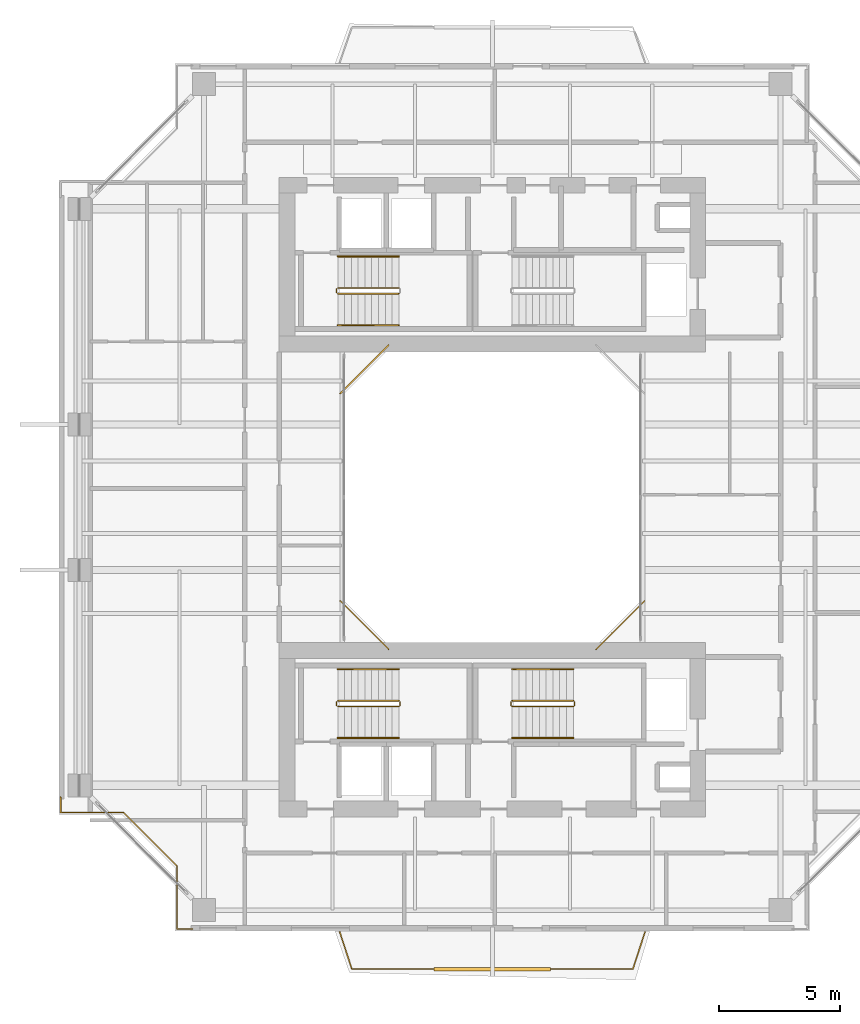
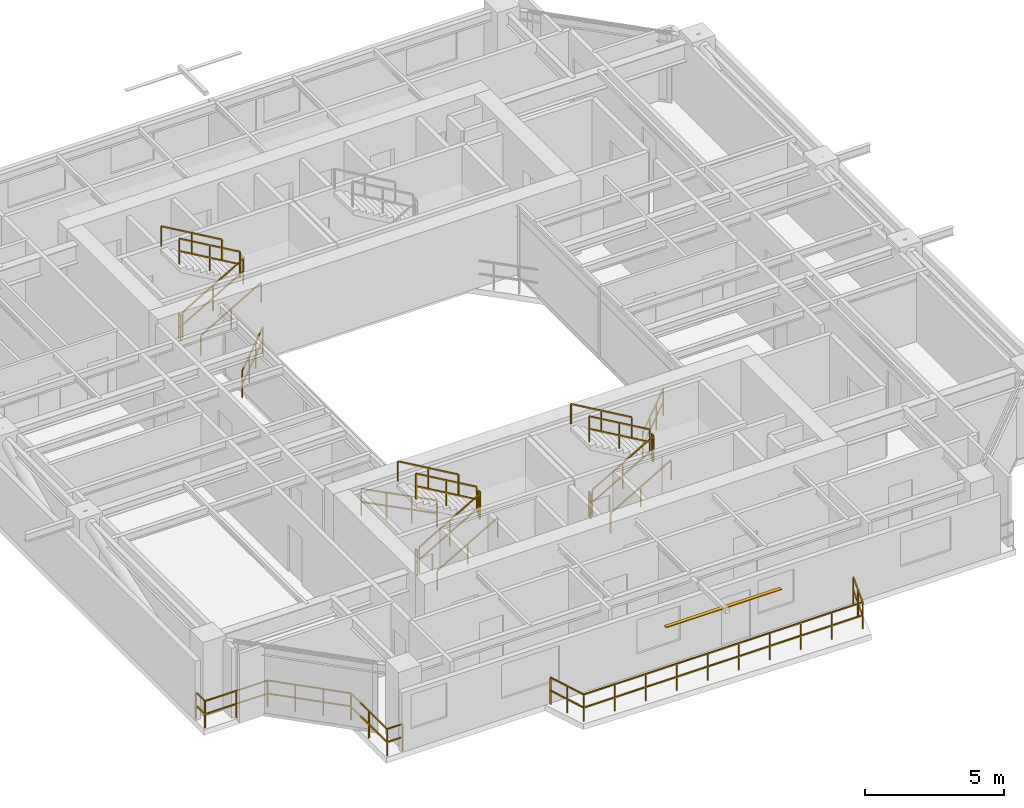
# One storey, part 12 of 14: 22 railings, 1 shading device.
"""IFC4 building model written with IfcOpenShell, lengths in metres."""

from ifc_helpers import new_model, si_unit, direction, frame, origin, origin_2d, place, context, subcontext, project, spatial, rectangle, extrude, source, transform, mapped, material, material_profile, profile_set, type_object, element, save


model = new_model("IFC4")

# Units and contexts
model_context = context("Model", 3, precision=1e-05, world=origin(), true_north=direction((0.0, 1.0)))
body_context = subcontext(model_context, "Body", "Model", "MODEL_VIEW")
ifc_project = project(units=[si_unit("LENGTHUNIT", "METRE"), si_unit("AREAUNIT", "SQUARE_METRE"), si_unit("VOLUMEUNIT", "CUBIC_METRE"), si_unit("PLANEANGLEUNIT", "RADIAN"), si_unit("MASSUNIT", "GRAM", prefix="KILO"), si_unit("THERMODYNAMICTEMPERATUREUNIT", "KELVIN"), si_unit("POWERUNIT", "WATT")], contexts=[model_context])

# Site, building, storey
site_placement = place(None, origin())
site = spatial("IfcSite", under=ifc_project, at=site_placement, CompositionType="ELEMENT")
building_placement = place(site_placement, origin())
building = spatial("IfcBuilding", under=site, at=building_placement, Name="Qiaomeng Ring Towers", CompositionType="ELEMENT")
storey_placement = place(building_placement, frame((0.0, 0.0, 176.25)))
storey = spatial("IfcBuildingStorey", under=building, at=storey_placement, Name="L51", CompositionType="ELEMENT", Elevation=176.25)

# Railings
ifc_material_1 = material(Name="Low-E pale-green laminated safety glass", Category="glass")
railing_type_1 = type_object("IfcRailingType", Name="ARC-RL-BAL1", PredefinedType="BALUSTRADE", material=ifc_material_1)
railing_1_placement = place(storey_placement, frame((23.280029296875, 16.719970703125, 0.0)))
element("IfcRailing", 1, at=railing_1_placement, inside=storey, type_object=railing_type_1, Name="L51 Balustrade ARC-BAL-WELL1-L51-1", PredefinedType="BALUSTRADE", context=body_context, shape_type="SweptSolid", body=[
    extrude(rectangle(XDim=0.048095703125, YDim=0.048095703125, at=origin_2d()), frame((0.0, 0.0, 1.17578125), z_axis=(0.707106781187, 0.707106781187, 0.0), x_axis=(-0.707106781187, 0.707106781187, 0.0)), (0.0, 0.0, 1.0), 2.828369140625),
    extrude(rectangle(XDim=0.048095703125, YDim=0.048095703125, at=origin_2d()), frame((0.0, 0.0, 0.60009765625), z_axis=(0.707106781187, 0.707106781187, 0.0), x_axis=(-0.707106781187, 0.707106781187, 0.0)), (0.0, 0.0, 1.0), 2.828369140625),
    extrude(rectangle(XDim=0.0419921875, YDim=0.0419921875, at=origin_2d()), origin(), (0.0, 0.0, 1.0), 1.15185546875),
    extrude(rectangle(XDim=0.0419921875, YDim=0.0419921875, at=origin_2d()), frame((0.666748046875, 0.666748046875, 0.0)), (0.0, 0.0, 1.0), 1.15185546875),
    extrude(rectangle(XDim=0.0419921875, YDim=0.0419921875, at=origin_2d()), frame((1.333251953125, 1.333251953125, 0.0)), (0.0, 0.0, 1.0), 1.15185546875),
    extrude(rectangle(XDim=0.0419921875, YDim=0.0419921875, at=origin_2d()), frame((2.0, 2.0, 0.0)), (0.0, 0.0, 1.0), 1.15185546875),
])
railing_2_placement = place(storey_placement, frame((14.719970703125, 29.280029296875, 0.0)))
element("IfcRailing", 2, at=railing_2_placement, inside=storey, type_object=railing_type_1, Name="L51 Balustrade ARC-BAL-WELL1-L51-3", PredefinedType="BALUSTRADE", context=body_context, shape_type="SweptSolid", body=[
    extrude(rectangle(XDim=0.048095703125, YDim=0.048095703125, at=origin_2d()), frame((0.0, 0.0, 1.17578125), z_axis=(-0.707106781187, -0.707106781187, 0.0), x_axis=(0.707106781187, -0.707106781187, 0.0)), (0.0, 0.0, 1.0), 2.828369140625),
    extrude(rectangle(XDim=0.048095703125, YDim=0.048095703125, at=origin_2d()), frame((0.0, 0.0, 0.60009765625), z_axis=(-0.707106781187, -0.707106781187, 0.0), x_axis=(0.707106781187, -0.707106781187, 0.0)), (0.0, 0.0, 1.0), 2.828369140625),
    extrude(rectangle(XDim=0.0419921875, YDim=0.0419921875, at=origin_2d()), origin(), (0.0, 0.0, 1.0), 1.15185546875),
    extrude(rectangle(XDim=0.0419921875, YDim=0.0419921875, at=origin_2d()), frame((-0.666748046875, -0.666748046875, 0.0)), (0.0, 0.0, 1.0), 1.15185546875),
    extrude(rectangle(XDim=0.0419921875, YDim=0.0419921875, at=origin_2d()), frame((-1.333251953125, -1.333251953125, 0.0)), (0.0, 0.0, 1.0), 1.15185546875),
    extrude(rectangle(XDim=0.0419921875, YDim=0.0419921875, at=origin_2d()), frame((-2.0, -2.0, 0.0)), (0.0, 0.0, 1.0), 1.15185546875),
])
railing_3_placement = place(storey_placement, frame((12.719970703125, 18.719970703125, 0.0)))
element("IfcRailing", 3, at=railing_3_placement, inside=storey, type_object=railing_type_1, Name="L51 Balustrade ARC-BAL-WELL1-L51-4", PredefinedType="BALUSTRADE", context=body_context, shape_type="SweptSolid", body=[
    extrude(rectangle(XDim=0.048095703125, YDim=0.048095703125, at=origin_2d()), frame((0.0, 0.0, 1.17578125), z_axis=(0.707106781187, -0.707106781187, 0.0), x_axis=(0.707106781187, 0.707106781187, 0.0)), (0.0, 0.0, 1.0), 2.828369140625),
    extrude(rectangle(XDim=0.048095703125, YDim=0.048095703125, at=origin_2d()), frame((0.0, 0.0, 0.60009765625), z_axis=(0.707106781187, -0.707106781187, 0.0), x_axis=(0.707106781187, 0.707106781187, 0.0)), (0.0, 0.0, 1.0), 2.828369140625),
    extrude(rectangle(XDim=0.0419921875, YDim=0.0419921875, at=origin_2d()), origin(), (0.0, 0.0, 1.0), 1.15185546875),
    extrude(rectangle(XDim=0.0419921875, YDim=0.0419921875, at=origin_2d()), frame((0.666748046875, -0.666748046875, 0.0)), (0.0, 0.0, 1.0), 1.15185546875),
    extrude(rectangle(XDim=0.0419921875, YDim=0.0419921875, at=origin_2d()), frame((1.333251953125, -1.333251953125, 0.0)), (0.0, 0.0, 1.0), 1.15185546875),
    extrude(rectangle(XDim=0.0419921875, YDim=0.0419921875, at=origin_2d()), frame((2.0, -2.0, 0.0)), (0.0, 0.0, 1.0), 1.15185546875),
])
railing_4_placement = place(storey_placement, frame((1.179931640625, 10.6298828125, 0.0)))
element("IfcRailing", 4, at=railing_4_placement, inside=storey, type_object=railing_type_1, Name="L51 Balustrade ARC-BAL-NOTCH1-L51-SW", PredefinedType="BALUSTRADE", context=body_context, shape_type="SweptSolid", body=[
    extrude(rectangle(XDim=0.048095703125, YDim=0.048095703125, at=origin_2d()), frame((0.0, 0.0, 1.17578125), z_axis=(0.0, -1.0, 0.0), x_axis=(1.0, 0.0, 0.0)), (0.0, 0.0, 1.0), 0.64990234375),
    extrude(rectangle(XDim=0.048095703125, YDim=0.048095703125, at=origin_2d()), frame((0.0, 0.0, 0.60009765625), z_axis=(0.0, -1.0, 0.0), x_axis=(1.0, 0.0, 0.0)), (0.0, 0.0, 1.0), 0.64990234375),
    extrude(rectangle(XDim=0.048095703125, YDim=0.048095703125, at=origin_2d()), frame((0.0, -0.64990234375, 1.17578125), z_axis=(1.0, 0.0, 0.0), x_axis=(0.0, 1.0, 0.0)), (0.0, 0.0, 1.0), 2.60009765625),
    extrude(rectangle(XDim=0.048095703125, YDim=0.048095703125, at=origin_2d()), frame((0.0, -0.64990234375, 0.60009765625), z_axis=(1.0, 0.0, 0.0), x_axis=(0.0, 1.0, 0.0)), (0.0, 0.0, 1.0), 2.60009765625),
    extrude(rectangle(XDim=0.048095703125, YDim=0.048095703125, at=origin_2d()), frame((2.60009765625, -0.64990234375, 1.17578125), z_axis=(0.707106781187, -0.707106781187, 0.0), x_axis=(0.707106781187, 0.707106781187, 0.0)), (0.0, 0.0, 1.0), 3.111083984375),
    extrude(rectangle(XDim=0.048095703125, YDim=0.048095703125, at=origin_2d()), frame((2.60009765625, -0.64990234375, 0.60009765625), z_axis=(0.707106781187, -0.707106781187, 0.0), x_axis=(0.707106781187, 0.707106781187, 0.0)), (0.0, 0.0, 1.0), 3.111083984375),
    extrude(rectangle(XDim=0.048095703125, YDim=0.048095703125, at=origin_2d()), frame((4.800048828125, -2.849853515625, 1.17578125), z_axis=(0.0, -1.0, 0.0), x_axis=(1.0, 0.0, 0.0)), (0.0, 0.0, 1.0), 2.60009765625),
    extrude(rectangle(XDim=0.048095703125, YDim=0.048095703125, at=origin_2d()), frame((4.800048828125, -2.849853515625, 0.60009765625), z_axis=(0.0, -1.0, 0.0), x_axis=(1.0, 0.0, 0.0)), (0.0, 0.0, 1.0), 2.60009765625),
    extrude(rectangle(XDim=0.048095703125, YDim=0.048095703125, at=origin_2d()), frame((4.800048828125, -5.449951171875, 1.17578125), z_axis=(1.0, 0.0, 0.0), x_axis=(0.0, 1.0, 0.0)), (0.0, 0.0, 1.0), 0.64990234375),
    extrude(rectangle(XDim=0.048095703125, YDim=0.048095703125, at=origin_2d()), frame((4.800048828125, -5.449951171875, 0.60009765625), z_axis=(1.0, 0.0, 0.0), x_axis=(0.0, 1.0, 0.0)), (0.0, 0.0, 1.0), 0.64990234375),
    extrude(rectangle(XDim=0.0419921875, YDim=0.0419921875, at=origin_2d()), origin(), (0.0, 0.0, 1.0), 1.15185546875),
    extrude(rectangle(XDim=0.0419921875, YDim=0.0419921875, at=origin_2d()), frame((0.0, -0.64990234375, 0.0)), (0.0, 0.0, 1.0), 1.15185546875),
    extrude(rectangle(XDim=0.0419921875, YDim=0.0419921875, at=origin_2d()), frame((1.300048828125, -0.64990234375, 0.0)), (0.0, 0.0, 1.0), 1.15185546875),
    extrude(rectangle(XDim=0.0419921875, YDim=0.0419921875, at=origin_2d()), frame((2.60009765625, -0.64990234375, 0.0)), (0.0, 0.0, 1.0), 1.15185546875),
    extrude(rectangle(XDim=0.0419921875, YDim=0.0419921875, at=origin_2d()), frame((3.33349609375, -1.38330078125, 0.0)), (0.0, 0.0, 1.0), 1.15185546875),
    extrude(rectangle(XDim=0.0419921875, YDim=0.0419921875, at=origin_2d()), frame((4.066650390625, -2.116455078125, 0.0)), (0.0, 0.0, 1.0), 1.15185546875),
    extrude(rectangle(XDim=0.0419921875, YDim=0.0419921875, at=origin_2d()), frame((4.800048828125, -2.849853515625, 0.0)), (0.0, 0.0, 1.0), 1.15185546875),
    extrude(rectangle(XDim=0.0419921875, YDim=0.0419921875, at=origin_2d()), frame((4.800048828125, -4.14990234375, 0.0)), (0.0, 0.0, 1.0), 1.15185546875),
    extrude(rectangle(XDim=0.0419921875, YDim=0.0419921875, at=origin_2d()), frame((4.800048828125, -5.449951171875, 0.0)), (0.0, 0.0, 1.0), 1.15185546875),
    extrude(rectangle(XDim=0.0419921875, YDim=0.0419921875, at=origin_2d()), frame((5.449951171875, -5.449951171875, 0.0)), (0.0, 0.0, 1.0), 1.15185546875),
])
railing_5_placement = place(storey_placement, frame((12.699951171875, 5.050048828125, 0.0)))
element("IfcRailing", 5, at=railing_5_placement, inside=storey, type_object=railing_type_1, Name="L51 Balustrade ARC-BAL-L51-T1-S", PredefinedType="BALUSTRADE", context=body_context, shape_type="SweptSolid", body=[
    extrude(rectangle(XDim=0.048095703125, YDim=0.048095703125, at=origin_2d()), frame((0.0, 0.0, 1.17578125), z_axis=(0.310625543041, -0.950532362421, 0.0), x_axis=(0.950532362421, 0.310625543041, 0.0)), (0.0, 0.0, 1.0), 1.609619140625),
    extrude(rectangle(XDim=0.048095703125, YDim=0.048095703125, at=origin_2d()), frame((0.0, 0.0, 0.60009765625), z_axis=(0.310625543041, -0.950532362421, 0.0), x_axis=(0.950532362421, 0.310625543041, 0.0)), (0.0, 0.0, 1.0), 1.609619140625),
    extrude(rectangle(XDim=0.048095703125, YDim=0.048095703125, at=origin_2d()), frame((0.5, -1.530029296875, 1.17578125), z_axis=(1.0, 0.0, 0.0), x_axis=(0.0, 1.0, 0.0)), (0.0, 0.0, 1.0), 11.60009765625),
    extrude(rectangle(XDim=0.048095703125, YDim=0.048095703125, at=origin_2d()), frame((0.5, -1.530029296875, 0.60009765625), z_axis=(1.0, 0.0, 0.0), x_axis=(0.0, 1.0, 0.0)), (0.0, 0.0, 1.0), 11.60009765625),
    extrude(rectangle(XDim=0.048095703125, YDim=0.048095703125, at=origin_2d()), frame((12.10009765625, -1.530029296875, 1.17578125), z_axis=(0.310625543041, 0.950532362421, 0.0), x_axis=(-0.950532362421, 0.310625543041, 0.0)), (0.0, 0.0, 1.0), 1.609619140625),
    extrude(rectangle(XDim=0.048095703125, YDim=0.048095703125, at=origin_2d()), frame((12.10009765625, -1.530029296875, 0.60009765625), z_axis=(0.310625543041, 0.950532362421, 0.0), x_axis=(-0.950532362421, 0.310625543041, 0.0)), (0.0, 0.0, 1.0), 1.609619140625),
    extrude(rectangle(XDim=0.0419921875, YDim=0.0419921875, at=origin_2d()), origin(), (0.0, 0.0, 1.0), 1.15185546875),
    extrude(rectangle(XDim=0.0419921875, YDim=0.0419921875, at=origin_2d()), frame((0.25, -0.76513671875, 0.0)), (0.0, 0.0, 1.0), 1.15185546875),
    extrude(rectangle(XDim=0.0419921875, YDim=0.0419921875, at=origin_2d()), frame((0.5, -1.530029296875, 0.0)), (0.0, 0.0, 1.0), 1.15185546875),
    extrude(rectangle(XDim=0.0419921875, YDim=0.0419921875, at=origin_2d()), frame((1.788818359375, -1.530029296875, 0.0)), (0.0, 0.0, 1.0), 1.15185546875),
    extrude(rectangle(XDim=0.0419921875, YDim=0.0419921875, at=origin_2d()), frame((3.077880859375, -1.530029296875, 0.0)), (0.0, 0.0, 1.0), 1.15185546875),
    extrude(rectangle(XDim=0.0419921875, YDim=0.0419921875, at=origin_2d()), frame((4.36669921875, -1.530029296875, 0.0)), (0.0, 0.0, 1.0), 1.15185546875),
    extrude(rectangle(XDim=0.0419921875, YDim=0.0419921875, at=origin_2d()), frame((5.655517578125, -1.530029296875, 0.0)), (0.0, 0.0, 1.0), 1.15185546875),
    extrude(rectangle(XDim=0.0419921875, YDim=0.0419921875, at=origin_2d()), frame((6.944580078125, -1.530029296875, 0.0)), (0.0, 0.0, 1.0), 1.15185546875),
    extrude(rectangle(XDim=0.0419921875, YDim=0.0419921875, at=origin_2d()), frame((8.2333984375, -1.530029296875, 0.0)), (0.0, 0.0, 1.0), 1.15185546875),
    extrude(rectangle(XDim=0.0419921875, YDim=0.0419921875, at=origin_2d()), frame((9.522216796875, -1.530029296875, 0.0)), (0.0, 0.0, 1.0), 1.15185546875),
    extrude(rectangle(XDim=0.0419921875, YDim=0.0419921875, at=origin_2d()), frame((10.811279296875, -1.530029296875, 0.0)), (0.0, 0.0, 1.0), 1.15185546875),
    extrude(rectangle(XDim=0.0419921875, YDim=0.0419921875, at=origin_2d()), frame((12.10009765625, -1.530029296875, 0.0)), (0.0, 0.0, 1.0), 1.15185546875),
    extrude(rectangle(XDim=0.0419921875, YDim=0.0419921875, at=origin_2d()), frame((12.35009765625, -0.76513671875, 0.0)), (0.0, 0.0, 1.0), 1.15185546875),
    extrude(rectangle(XDim=0.0419921875, YDim=0.0419921875, at=origin_2d()), frame((12.60009765625, 0.0, 0.0)), (0.0, 0.0, 1.0), 1.15185546875),
])
ifc_material_2 = material(Name="Galvanised steel", Category="steel")
railing_type_2 = type_object("IfcRailingType", Name="ARC-RL-GUARD", PredefinedType="GUARDRAIL", material=ifc_material_2)
railing_6_placement = place(storey_placement, frame((12.6201171875, 31.39990234375, 0.16259765625)))
element("IfcRailing", 6, at=railing_6_placement, inside=storey, type_object=railing_type_2, Name="L51 ST1 stair guard 1", PredefinedType="GUARDRAIL", context=body_context, shape_type="SweptSolid", body=[
    extrude(rectangle(XDim=0.048095703125, YDim=0.048095703125, at=origin_2d()), frame((0.0, 0.0, 1.1259765625), z_axis=(0.864892226395, 0.0, 0.501957604506), x_axis=(0.0, 1.0, 0.0)), (0.0, 0.0, 1.0), 2.913330078125),
    extrude(rectangle(XDim=0.048095703125, YDim=0.048095703125, at=origin_2d()), frame((0.0, 0.0, 0.574951171875), z_axis=(0.864892226395, 0.0, 0.501957604506), x_axis=(0.0, 1.0, 0.0)), (0.0, 0.0, 1.0), 2.913330078125),
    extrude(rectangle(XDim=0.0419921875, YDim=0.0419921875, at=origin_2d()), origin(), (0.0, 0.0, 1.0), 1.101806640625),
    extrude(rectangle(XDim=0.0419921875, YDim=0.0419921875, at=origin_2d()), frame((1.259765625, 0.0, 0.731201171875)), (0.0, 0.0, 1.0), 1.101806640625),
    extrude(rectangle(XDim=0.0419921875, YDim=0.0419921875, at=origin_2d()), frame((2.519775390625, 0.0, 1.46240234375)), (0.0, 0.0, 1.0), 1.101806640625),
])
railing_7_placement = place(storey_placement, frame((15.139892578125, 31.639892578125, 1.78759765625)))
element("IfcRailing", 7, at=railing_7_placement, inside=storey, type_object=railing_type_2, Name="L51 ST1 stair guard 3", PredefinedType="GUARDRAIL", context=body_context, shape_type="SweptSolid", body=[
    extrude(rectangle(XDim=0.048095703125, YDim=0.048095703125, at=origin_2d()), frame((0.0, 0.0, 1.1259765625), z_axis=(-0.864892226395, 0.0, 0.501957604506), x_axis=(0.0, -1.0, 0.0)), (0.0, 0.0, 1.0), 2.913330078125),
    extrude(rectangle(XDim=0.048095703125, YDim=0.048095703125, at=origin_2d()), frame((0.0, 0.0, 0.574951171875), z_axis=(-0.864892226395, 0.0, 0.501957604506), x_axis=(0.0, -1.0, 0.0)), (0.0, 0.0, 1.0), 2.913330078125),
    extrude(rectangle(XDim=0.0419921875, YDim=0.0419921875, at=origin_2d()), origin(), (0.0, 0.0, 1.0), 1.101806640625),
    extrude(rectangle(XDim=0.0419921875, YDim=0.0419921875, at=origin_2d()), frame((-1.259765625, 0.0, 0.731201171875)), (0.0, 0.0, 1.0), 1.101806640625),
    extrude(rectangle(XDim=0.0419921875, YDim=0.0419921875, at=origin_2d()), frame((-2.519775390625, 0.0, 1.46240234375)), (0.0, 0.0, 1.0), 1.101806640625),
])
railing_8_placement = place(storey_placement, frame((12.570068359375, 31.449951171875, 0.0)))
element("IfcRailing", 8, at=railing_8_placement, inside=storey, type_object=railing_type_2, Name="L51 ST1 stair guard 4", PredefinedType="GUARDRAIL", context=body_context, shape_type="SweptSolid", body=[
    extrude(rectangle(XDim=0.048095703125, YDim=0.048095703125, at=origin_2d()), frame((0.0, 0.0, 1.1259765625), z_axis=(0.0, 1.0, 0.0), x_axis=(-1.0, 0.0, 0.0)), (0.0, 0.0, 1.0), 0.14013671875),
    extrude(rectangle(XDim=0.048095703125, YDim=0.048095703125, at=origin_2d()), frame((0.0, 0.0, 0.574951171875), z_axis=(0.0, 1.0, 0.0), x_axis=(-1.0, 0.0, 0.0)), (0.0, 0.0, 1.0), 0.14013671875),
    extrude(rectangle(XDim=0.0419921875, YDim=0.0419921875, at=origin_2d()), origin(), (0.0, 0.0, 1.0), 1.101806640625),
    extrude(rectangle(XDim=0.0419921875, YDim=0.0419921875, at=origin_2d()), frame((0.0, 0.14013671875, 0.0)), (0.0, 0.0, 1.0), 1.101806640625),
])
railing_9_placement = place(storey_placement, frame((12.6201171875, 14.360107421875, 0.16259765625)))
element("IfcRailing", 9, at=railing_9_placement, inside=storey, type_object=railing_type_2, Name="L51 ST3 stair guard 1", PredefinedType="GUARDRAIL", context=body_context, shape_type="SweptSolid", body=[
    extrude(rectangle(XDim=0.048095703125, YDim=0.048095703125, at=origin_2d()), frame((0.0, 0.0, 1.1259765625), z_axis=(0.864892226395, 0.0, 0.501957604506), x_axis=(0.0, 1.0, 0.0)), (0.0, 0.0, 1.0), 2.913330078125),
    extrude(rectangle(XDim=0.048095703125, YDim=0.048095703125, at=origin_2d()), frame((0.0, 0.0, 0.574951171875), z_axis=(0.864892226395, 0.0, 0.501957604506), x_axis=(0.0, 1.0, 0.0)), (0.0, 0.0, 1.0), 2.913330078125),
    extrude(rectangle(XDim=0.0419921875, YDim=0.0419921875, at=origin_2d()), origin(), (0.0, 0.0, 1.0), 1.101806640625),
    extrude(rectangle(XDim=0.0419921875, YDim=0.0419921875, at=origin_2d()), frame((1.259765625, 0.0, 0.731201171875)), (0.0, 0.0, 1.0), 1.101806640625),
    extrude(rectangle(XDim=0.0419921875, YDim=0.0419921875, at=origin_2d()), frame((2.519775390625, 0.0, 1.46240234375)), (0.0, 0.0, 1.0), 1.101806640625),
])
railing_10_placement = place(storey_placement, frame((15.18994140625, 14.409912109375, 1.625)))
element("IfcRailing", 10, at=railing_10_placement, inside=storey, type_object=railing_type_2, Name="L51 ST3 stair guard 2", PredefinedType="GUARDRAIL", context=body_context, shape_type="SweptSolid", body=[
    extrude(rectangle(XDim=0.048095703125, YDim=0.048095703125, at=origin_2d()), frame((0.0, 0.0, 1.1259765625), z_axis=(0.0, 1.0, 0.0), x_axis=(-1.0, 0.0, 0.0)), (0.0, 0.0, 1.0), 0.14013671875),
    extrude(rectangle(XDim=0.048095703125, YDim=0.048095703125, at=origin_2d()), frame((0.0, 0.0, 0.574951171875), z_axis=(0.0, 1.0, 0.0), x_axis=(-1.0, 0.0, 0.0)), (0.0, 0.0, 1.0), 0.14013671875),
    extrude(rectangle(XDim=0.0419921875, YDim=0.0419921875, at=origin_2d()), origin(), (0.0, 0.0, 1.0), 1.101806640625),
    extrude(rectangle(XDim=0.0419921875, YDim=0.0419921875, at=origin_2d()), frame((0.0, 0.14013671875, 0.0)), (0.0, 0.0, 1.0), 1.101806640625),
])
railing_11_placement = place(storey_placement, frame((15.139892578125, 14.60009765625, 1.78759765625)))
element("IfcRailing", 11, at=railing_11_placement, inside=storey, type_object=railing_type_2, Name="L51 ST3 stair guard 3", PredefinedType="GUARDRAIL", context=body_context, shape_type="SweptSolid", body=[
    extrude(rectangle(XDim=0.048095703125, YDim=0.048095703125, at=origin_2d()), frame((0.0, 0.0, 1.1259765625), z_axis=(-0.864892226395, 0.0, 0.501957604506), x_axis=(0.0, -1.0, 0.0)), (0.0, 0.0, 1.0), 2.913330078125),
    extrude(rectangle(XDim=0.048095703125, YDim=0.048095703125, at=origin_2d()), frame((0.0, 0.0, 0.574951171875), z_axis=(-0.864892226395, 0.0, 0.501957604506), x_axis=(0.0, -1.0, 0.0)), (0.0, 0.0, 1.0), 2.913330078125),
    extrude(rectangle(XDim=0.0419921875, YDim=0.0419921875, at=origin_2d()), origin(), (0.0, 0.0, 1.0), 1.101806640625),
    extrude(rectangle(XDim=0.0419921875, YDim=0.0419921875, at=origin_2d()), frame((-1.259765625, 0.0, 0.731201171875)), (0.0, 0.0, 1.0), 1.101806640625),
    extrude(rectangle(XDim=0.0419921875, YDim=0.0419921875, at=origin_2d()), frame((-2.519775390625, 0.0, 1.46240234375)), (0.0, 0.0, 1.0), 1.101806640625),
])
railing_12_placement = place(storey_placement, frame((12.570068359375, 14.409912109375, 0.0)))
element("IfcRailing", 12, at=railing_12_placement, inside=storey, type_object=railing_type_2, Name="L51 ST3 stair guard 4", PredefinedType="GUARDRAIL", context=body_context, shape_type="SweptSolid", body=[
    extrude(rectangle(XDim=0.048095703125, YDim=0.048095703125, at=origin_2d()), frame((0.0, 0.0, 1.1259765625), z_axis=(0.0, 1.0, 0.0), x_axis=(-1.0, 0.0, 0.0)), (0.0, 0.0, 1.0), 0.14013671875),
    extrude(rectangle(XDim=0.048095703125, YDim=0.048095703125, at=origin_2d()), frame((0.0, 0.0, 0.574951171875), z_axis=(0.0, 1.0, 0.0), x_axis=(-1.0, 0.0, 0.0)), (0.0, 0.0, 1.0), 0.14013671875),
    extrude(rectangle(XDim=0.0419921875, YDim=0.0419921875, at=origin_2d()), origin(), (0.0, 0.0, 1.0), 1.101806640625),
    extrude(rectangle(XDim=0.0419921875, YDim=0.0419921875, at=origin_2d()), frame((0.0, 0.14013671875, 0.0)), (0.0, 0.0, 1.0), 1.101806640625),
])
railing_13_placement = place(storey_placement, frame((19.820068359375, 14.360107421875, 0.16259765625)))
element("IfcRailing", 13, at=railing_13_placement, inside=storey, type_object=railing_type_2, Name="L51 ST4 stair guard 1", PredefinedType="GUARDRAIL", context=body_context, shape_type="SweptSolid", body=[
    extrude(rectangle(XDim=0.048095703125, YDim=0.048095703125, at=origin_2d()), frame((0.0, 0.0, 1.1259765625), z_axis=(0.864913338283, 0.0, 0.50192122615), x_axis=(0.0, 1.0, 0.0)), (0.0, 0.0, 1.0), 2.91357421875),
    extrude(rectangle(XDim=0.048095703125, YDim=0.048095703125, at=origin_2d()), frame((0.0, 0.0, 0.574951171875), z_axis=(0.864913338283, 0.0, 0.50192122615), x_axis=(0.0, 1.0, 0.0)), (0.0, 0.0, 1.0), 2.91357421875),
    extrude(rectangle(XDim=0.0419921875, YDim=0.0419921875, at=origin_2d()), origin(), (0.0, 0.0, 1.0), 1.101806640625),
    extrude(rectangle(XDim=0.0419921875, YDim=0.0419921875, at=origin_2d()), frame((1.260009765625, 0.0, 0.731201171875)), (0.0, 0.0, 1.0), 1.101806640625),
    extrude(rectangle(XDim=0.0419921875, YDim=0.0419921875, at=origin_2d()), frame((2.52001953125, 0.0, 1.46240234375)), (0.0, 0.0, 1.0), 1.101806640625),
])
railing_14_placement = place(storey_placement, frame((22.389892578125, 14.409912109375, 1.625)))
element("IfcRailing", 14, at=railing_14_placement, inside=storey, type_object=railing_type_2, Name="L51 ST4 stair guard 2", PredefinedType="GUARDRAIL", context=body_context, shape_type="SweptSolid", body=[
    extrude(rectangle(XDim=0.048095703125, YDim=0.048095703125, at=origin_2d()), frame((0.0, 0.0, 1.1259765625), z_axis=(0.0, 1.0, 0.0), x_axis=(-1.0, 0.0, 0.0)), (0.0, 0.0, 1.0), 0.14013671875),
    extrude(rectangle(XDim=0.048095703125, YDim=0.048095703125, at=origin_2d()), frame((0.0, 0.0, 0.574951171875), z_axis=(0.0, 1.0, 0.0), x_axis=(-1.0, 0.0, 0.0)), (0.0, 0.0, 1.0), 0.14013671875),
    extrude(rectangle(XDim=0.0419921875, YDim=0.0419921875, at=origin_2d()), origin(), (0.0, 0.0, 1.0), 1.101806640625),
    extrude(rectangle(XDim=0.0419921875, YDim=0.0419921875, at=origin_2d()), frame((0.0, 0.14013671875, 0.0)), (0.0, 0.0, 1.0), 1.101806640625),
])
railing_15_placement = place(storey_placement, frame((22.340087890625, 14.60009765625, 1.78759765625)))
element("IfcRailing", 15, at=railing_15_placement, inside=storey, type_object=railing_type_2, Name="L51 ST4 stair guard 3", PredefinedType="GUARDRAIL", context=body_context, shape_type="SweptSolid", body=[
    extrude(rectangle(XDim=0.048095703125, YDim=0.048095703125, at=origin_2d()), frame((0.0, 0.0, 1.1259765625), z_axis=(-0.864913338283, 0.0, 0.50192122615), x_axis=(0.0, -1.0, 0.0)), (0.0, 0.0, 1.0), 2.91357421875),
    extrude(rectangle(XDim=0.048095703125, YDim=0.048095703125, at=origin_2d()), frame((0.0, 0.0, 0.574951171875), z_axis=(-0.864913338283, 0.0, 0.50192122615), x_axis=(0.0, -1.0, 0.0)), (0.0, 0.0, 1.0), 2.91357421875),
    extrude(rectangle(XDim=0.0419921875, YDim=0.0419921875, at=origin_2d()), origin(), (0.0, 0.0, 1.0), 1.101806640625),
    extrude(rectangle(XDim=0.0419921875, YDim=0.0419921875, at=origin_2d()), frame((-1.260009765625, 0.0, 0.731201171875)), (0.0, 0.0, 1.0), 1.101806640625),
    extrude(rectangle(XDim=0.0419921875, YDim=0.0419921875, at=origin_2d()), frame((-2.52001953125, 0.0, 1.46240234375)), (0.0, 0.0, 1.0), 1.101806640625),
])
railing_16_placement = place(storey_placement, frame((19.77001953125, 14.409912109375, 0.0)))
element("IfcRailing", 16, at=railing_16_placement, inside=storey, type_object=railing_type_2, Name="L51 ST4 stair guard 4", PredefinedType="GUARDRAIL", context=body_context, shape_type="SweptSolid", body=[
    extrude(rectangle(XDim=0.048095703125, YDim=0.048095703125, at=origin_2d()), frame((0.0, 0.0, 1.1259765625), z_axis=(0.0, 1.0, 0.0), x_axis=(-1.0, 0.0, 0.0)), (0.0, 0.0, 1.0), 0.14013671875),
    extrude(rectangle(XDim=0.048095703125, YDim=0.048095703125, at=origin_2d()), frame((0.0, 0.0, 0.574951171875), z_axis=(0.0, 1.0, 0.0), x_axis=(-1.0, 0.0, 0.0)), (0.0, 0.0, 1.0), 0.14013671875),
    extrude(rectangle(XDim=0.0419921875, YDim=0.0419921875, at=origin_2d()), origin(), (0.0, 0.0, 1.0), 1.101806640625),
    extrude(rectangle(XDim=0.0419921875, YDim=0.0419921875, at=origin_2d()), frame((0.0, 0.14013671875, 0.0)), (0.0, 0.0, 1.0), 1.101806640625),
])
ifc_material_3 = material(Name="Stainless steel 316", Category="steel")
railing_type_3 = type_object("IfcRailingType", Name="ARC-RL-HAND", PredefinedType="HANDRAIL", material=ifc_material_3)
railing_17_placement = place(storey_placement, frame((12.6201171875, 30.10009765625, 0.16259765625)))
element("IfcRailing", 17, at=railing_17_placement, inside=storey, type_object=railing_type_3, Name="L51 ST1 stair handrail 1", PredefinedType="HANDRAIL", context=body_context, shape_type="SweptSolid", body=[
    extrude(rectangle(XDim=0.048095703125, YDim=0.048095703125, at=origin_2d()), frame((0.0, 0.0, 0.8759765625), z_axis=(0.864892226395, 0.0, 0.501957604506), x_axis=(0.0, 1.0, 0.0)), (0.0, 0.0, 1.0), 2.913330078125),
    extrude(rectangle(XDim=0.0419921875, YDim=0.0419921875, at=origin_2d()), origin(), (0.0, 0.0, 1.0), 0.851806640625),
    extrude(rectangle(XDim=0.0419921875, YDim=0.0419921875, at=origin_2d()), frame((1.259765625, 0.0, 0.731201171875)), (0.0, 0.0, 1.0), 0.851806640625),
    extrude(rectangle(XDim=0.0419921875, YDim=0.0419921875, at=origin_2d()), frame((2.519775390625, 0.0, 1.46240234375)), (0.0, 0.0, 1.0), 0.851806640625),
])
railing_18_placement = place(storey_placement, frame((15.139892578125, 32.93994140625, 1.78759765625)))
element("IfcRailing", 18, at=railing_18_placement, inside=storey, type_object=railing_type_3, Name="L51 ST1 stair handrail 2", PredefinedType="HANDRAIL", context=body_context, shape_type="SweptSolid", body=[
    extrude(rectangle(XDim=0.048095703125, YDim=0.048095703125, at=origin_2d()), frame((0.0, 0.0, 0.8759765625), z_axis=(-0.864892226395, 0.0, 0.501957604506), x_axis=(0.0, -1.0, 0.0)), (0.0, 0.0, 1.0), 2.913330078125),
    extrude(rectangle(XDim=0.0419921875, YDim=0.0419921875, at=origin_2d()), origin(), (0.0, 0.0, 1.0), 0.851806640625),
    extrude(rectangle(XDim=0.0419921875, YDim=0.0419921875, at=origin_2d()), frame((-1.259765625, 0.0, 0.731201171875)), (0.0, 0.0, 1.0), 0.851806640625),
    extrude(rectangle(XDim=0.0419921875, YDim=0.0419921875, at=origin_2d()), frame((-2.519775390625, 0.0, 1.46240234375)), (0.0, 0.0, 1.0), 0.851806640625),
])
railing_19_placement = place(storey_placement, frame((12.6201171875, 13.06005859375, 0.16259765625)))
element("IfcRailing", 19, at=railing_19_placement, inside=storey, type_object=railing_type_3, Name="L51 ST3 stair handrail 1", PredefinedType="HANDRAIL", context=body_context, shape_type="SweptSolid", body=[
    extrude(rectangle(XDim=0.048095703125, YDim=0.048095703125, at=origin_2d()), frame((0.0, 0.0, 0.8759765625), z_axis=(0.864892226395, 0.0, 0.501957604506), x_axis=(0.0, 1.0, 0.0)), (0.0, 0.0, 1.0), 2.913330078125),
    extrude(rectangle(XDim=0.0419921875, YDim=0.0419921875, at=origin_2d()), origin(), (0.0, 0.0, 1.0), 0.851806640625),
    extrude(rectangle(XDim=0.0419921875, YDim=0.0419921875, at=origin_2d()), frame((1.259765625, 0.0, 0.731201171875)), (0.0, 0.0, 1.0), 0.851806640625),
    extrude(rectangle(XDim=0.0419921875, YDim=0.0419921875, at=origin_2d()), frame((2.519775390625, 0.0, 1.46240234375)), (0.0, 0.0, 1.0), 0.851806640625),
])
railing_20_placement = place(storey_placement, frame((15.139892578125, 15.89990234375, 1.78759765625)))
element("IfcRailing", 20, at=railing_20_placement, inside=storey, type_object=railing_type_3, Name="L51 ST3 stair handrail 2", PredefinedType="HANDRAIL", context=body_context, shape_type="SweptSolid", body=[
    extrude(rectangle(XDim=0.048095703125, YDim=0.048095703125, at=origin_2d()), frame((0.0, 0.0, 0.8759765625), z_axis=(-0.864892226395, 0.0, 0.501957604506), x_axis=(0.0, -1.0, 0.0)), (0.0, 0.0, 1.0), 2.913330078125),
    extrude(rectangle(XDim=0.0419921875, YDim=0.0419921875, at=origin_2d()), origin(), (0.0, 0.0, 1.0), 0.851806640625),
    extrude(rectangle(XDim=0.0419921875, YDim=0.0419921875, at=origin_2d()), frame((-1.259765625, 0.0, 0.731201171875)), (0.0, 0.0, 1.0), 0.851806640625),
    extrude(rectangle(XDim=0.0419921875, YDim=0.0419921875, at=origin_2d()), frame((-2.519775390625, 0.0, 1.46240234375)), (0.0, 0.0, 1.0), 0.851806640625),
])
railing_21_placement = place(storey_placement, frame((19.820068359375, 13.06005859375, 0.16259765625)))
element("IfcRailing", 21, at=railing_21_placement, inside=storey, type_object=railing_type_3, Name="L51 ST4 stair handrail 1", PredefinedType="HANDRAIL", context=body_context, shape_type="SweptSolid", body=[
    extrude(rectangle(XDim=0.048095703125, YDim=0.048095703125, at=origin_2d()), frame((0.0, 0.0, 0.8759765625), z_axis=(0.864913338283, 0.0, 0.50192122615), x_axis=(0.0, 1.0, 0.0)), (0.0, 0.0, 1.0), 2.91357421875),
    extrude(rectangle(XDim=0.0419921875, YDim=0.0419921875, at=origin_2d()), origin(), (0.0, 0.0, 1.0), 0.851806640625),
    extrude(rectangle(XDim=0.0419921875, YDim=0.0419921875, at=origin_2d()), frame((1.260009765625, 0.0, 0.731201171875)), (0.0, 0.0, 1.0), 0.851806640625),
    extrude(rectangle(XDim=0.0419921875, YDim=0.0419921875, at=origin_2d()), frame((2.52001953125, 0.0, 1.46240234375)), (0.0, 0.0, 1.0), 0.851806640625),
])
railing_22_placement = place(storey_placement, frame((22.340087890625, 15.89990234375, 1.78759765625)))
element("IfcRailing", 22, at=railing_22_placement, inside=storey, type_object=railing_type_3, Name="L51 ST4 stair handrail 2", PredefinedType="HANDRAIL", context=body_context, shape_type="SweptSolid", body=[
    extrude(rectangle(XDim=0.048095703125, YDim=0.048095703125, at=origin_2d()), frame((0.0, 0.0, 0.8759765625), z_axis=(-0.864913338283, 0.0, 0.50192122615), x_axis=(0.0, -1.0, 0.0)), (0.0, 0.0, 1.0), 2.91357421875),
    extrude(rectangle(XDim=0.0419921875, YDim=0.0419921875, at=origin_2d()), origin(), (0.0, 0.0, 1.0), 0.851806640625),
    extrude(rectangle(XDim=0.0419921875, YDim=0.0419921875, at=origin_2d()), frame((-1.260009765625, 0.0, 0.731201171875)), (0.0, 0.0, 1.0), 0.851806640625),
    extrude(rectangle(XDim=0.0419921875, YDim=0.0419921875, at=origin_2d()), frame((-2.52001953125, 0.0, 1.46240234375)), (0.0, 0.0, 1.0), 0.851806640625),
])

# Shading device
ifc_material_4 = material(Name="Fluorocarbon dark-grey aluminium", Category="aluminium")
ifc_material_profile = material_profile(ifc_material_4, rectangle(XDim=0.14990234375, YDim=0.034912109375, at=origin_2d()), Name="LV BLADE 150x35")
ifc_profile_set = profile_set([ifc_material_profile], Name="Fluorocarbon dark-grey aluminium")
shading_device_type = type_object("IfcShadingDeviceType", Name="ARC-SHD-SUN", PredefinedType="AWNING", material=ifc_profile_set)
shared_shape = source(origin(), body_context, "Body", "SweptSolid", [
    extrude(rectangle(XDim=0.14990234375, YDim=0.034912109375, at=origin_2d()), origin(), (0.0, 0.0, 1.0), 4.7998046875),
])
shading_device_placement = place(storey_placement, frame((16.60009765625, 3.52001953125, 2.969970703125), z_axis=(1.0, 0.0, 0.0), x_axis=(0.0, 1.0, 0.0)))
element("IfcShadingDevice", 23, at=shading_device_placement, inside=storey, type_object=shading_device_type, Name="L51 Ventilated Outer-Skin Sunshade S", PredefinedType="AWNING", context=body_context, shape_type="MappedRepresentation", body=[
    mapped(shared_shape, transform((0.0, 0.0, 0.0), x_axis=(1.0, 0.0, 0.0), y_axis=(0.0, 1.0, 0.0), z_axis=(0.0, 0.0, 1.0), scale=1.0)),
])

save(model, "model.ifc")
